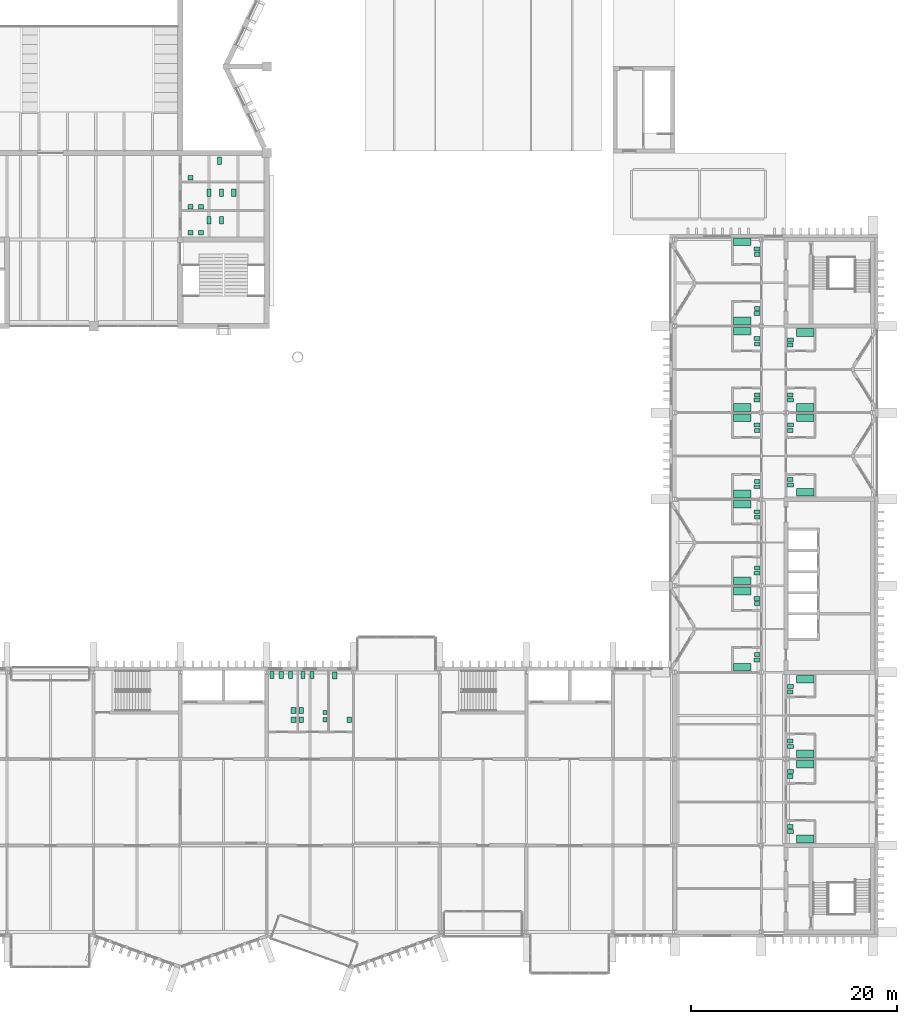
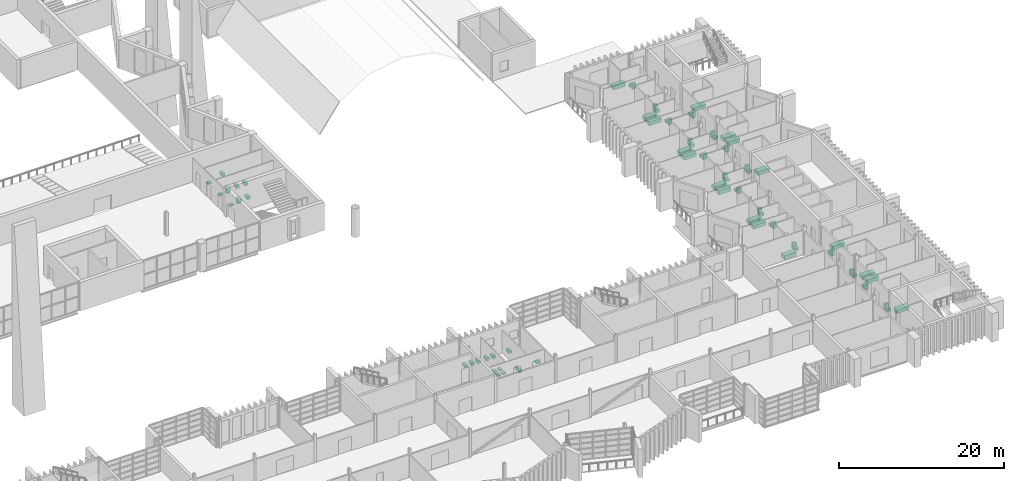
# One storey, part 100 of 100: 78 sanitary terminals.
"""IFC4 building model written with IfcOpenShell, lengths in metres."""

from ifc_helpers import new_model, si_unit, direction, frame, origin, origin_2d, place, context, subcontext, project, spatial, rectangle, extrude, material, type_object, element, save


model = new_model("IFC4")

# Units and contexts
model_context = context("Model", 3, precision=1e-05, world=origin(), true_north=direction((0.0, 1.0)))
body_context = subcontext(model_context, "Body", "Model", "MODEL_VIEW")
ifc_project = project(units=[si_unit("LENGTHUNIT", "METRE"), si_unit("AREAUNIT", "SQUARE_METRE"), si_unit("VOLUMEUNIT", "CUBIC_METRE"), si_unit("PLANEANGLEUNIT", "RADIAN"), si_unit("MASSUNIT", "GRAM", prefix="KILO")], contexts=[model_context])

# Site, building, storey
site_placement = place(None, origin())
site = spatial("IfcSite", under=ifc_project, at=site_placement, CompositionType="ELEMENT")
building_placement = place(site_placement, origin())
building = spatial("IfcBuilding", under=site, at=building_placement, Name="Cresset Court Congress Hotel", CompositionType="ELEMENT")
storey_placement = place(building_placement, frame((0.0, 0.0, 10.199951171875)))
storey = spatial("IfcBuildingStorey", under=building, at=storey_placement, Name="L02", CompositionType="ELEMENT", Elevation=10.199951171875)

# Sanitary terminals
ifc_material_1 = material(Name="Acrylic")
sanitary_terminal_type_1 = type_object("IfcSanitaryTerminalType", Name="Bath 1700x750", PredefinedType="BATH", material=ifc_material_1)
for number, where, z_axis, x_axis, name in (
    (1, (163.75, 25.699951171875, 0.0), (0.0, 0.0, 1.0), (1.0, 0.0, 0.0), "Bath 1700x750 0207"),
    (2, (163.75, 33.10009765625, 0.0), (0.0, 0.0, 1.0), (1.0, 0.0, 0.0), "Bath 1700x750 0208"),
    (3, (163.75, 34.10009765625, 0.0), (0.0, 0.0, 1.0), (1.0, 0.0, 0.0), "Bath 1700x750 0209"),
    (4, (163.75, 41.5, 0.0), (0.0, 0.0, 1.0), (1.0, 0.0, 0.0), "Bath 1700x750 0210"),
    (5, (163.75, 42.5, 0.0), (0.0, 0.0, 1.0), (1.0, 0.0, 0.0), "Bath 1700x750 0211"),
    (6, (163.75, 49.89990234375, 0.0), (0.0, 0.0, 1.0), (1.0, 0.0, 0.0), "Bath 1700x750 0212"),
    (7, (163.75, 50.89990234375, 0.0), (0.0, 0.0, 1.0), (1.0, 0.0, 0.0), "Bath 1700x750 0213"),
    (8, (163.75, 58.300048828125, 0.0), (0.0, 0.0, 1.0), (1.0, 0.0, 0.0), "Bath 1700x750 0214"),
    (9, (163.75, 59.300048828125, 0.0), (0.0, 0.0, 1.0), (1.0, 0.0, 0.0), "Bath 1700x750 0215"),
    (10, (163.75, 66.9951171875, 0.0), (0.0, 0.0, 1.0), (1.0, 0.0, 0.0), "Bath 1700x750 0216"),
    (11, (169.85009765625, 9.02490234375, 0.0), (0.0, 0.0, 1.0), (1.0, 0.0, 0.0), "Bath 1700x750 0217"),
    (12, (169.85009765625, 16.300048828125, 0.0), (0.0, 0.0, 1.0), (1.0, 0.0, 0.0), "Bath 1700x750 0218"),
    (13, (169.85009765625, 17.300048828125, 0.0), (0.0, 0.0, 1.0), (1.0, 0.0, 0.0), "Bath 1700x750 0219"),
    (14, (169.85009765625, 24.52490234375, 0.0), (0.0, 0.0, 1.0), (1.0, 0.0, 0.0), "Bath 1700x750 0220"),
    (15, (169.85009765625, 42.675048828125, 0.0), (0.0, 0.0, 1.0), (1.0, 0.0, 0.0), "Bath 1700x750 0221"),
    (16, (169.85009765625, 49.89990234375, 0.0), (0.0, 0.0, 1.0), (1.0, 0.0, 0.0), "Bath 1700x750 0222"),
    (17, (169.85009765625, 50.89990234375, 0.0), (0.0, 0.0, 1.0), (1.0, 0.0, 0.0), "Bath 1700x750 0223"),
    (18, (169.85009765625, 58.175048828125, 0.0), (0.0, 0.0, 1.0), (1.0, 0.0, 0.0), "Bath 1700x750 0224"),
):
    element("IfcSanitaryTerminal", number, at=place(storey_placement, frame(where, z_axis=z_axis, x_axis=x_axis)), inside=storey, type_object=sanitary_terminal_type_1, Name=name, PredefinedType="BATH", context=body_context, shape_type="SweptSolid", body=[
        extrude(rectangle(XDim=1.699951171875, YDim=0.75, at=origin_2d()), origin(), (0.0, 0.0, 1.0), 0.550048828125),
    ])
ifc_material_2 = material(Name="Vitreous china")
sanitary_terminal_type_2 = type_object("IfcSanitaryTerminalType", Name="Toilet pan", PredefinedType="TOILETPAN", material=ifc_material_2)
for number, where, z_axis, x_axis, name in (
    (19, (118.10009765625, 24.949951171875, 0.2001953125), (0.0, 0.0, 1.0), (1.0, 0.0, 0.0), "Women's WC fitting 40"),
    (20, (119.0, 24.949951171875, 0.2001953125), (0.0, 0.0, 1.0), (1.0, 0.0, 0.0), "Women's WC fitting 41"),
    (21, (119.89990234375, 24.949951171875, 0.2001953125), (0.0, 0.0, 1.0), (1.0, 0.0, 0.0), "Women's WC fitting 42"),
    (22, (121.10009765625, 24.949951171875, 0.2001953125), (0.0, 0.0, 1.0), (1.0, 0.0, 0.0), "Men's WC fitting 45"),
    (23, (122.0, 24.949951171875, 0.2001953125), (0.0, 0.0, 1.0), (1.0, 0.0, 0.0), "Men's WC fitting 46"),
    (24, (124.199951171875, 24.89990234375, 0.2001953125), (0.0, 0.0, 1.0), (1.0, 0.0, 0.0), "Accessible WC fitting 51"),
    (25, (112.0, 69.074951171875, 0.0), (0.0, 0.0, 1.0), (1.0, 0.0, 0.0), "Toilet Men's 1"),
    (26, (113.199951171875, 69.074951171875, 0.0), (0.0, 0.0, 1.0), (1.0, 0.0, 0.0), "Toilet Men's 2"),
    (27, (112.0, 71.75, 0.0), (0.0, 0.0, 1.0), (1.0, 0.0, 0.0), "Toilet Women's 1"),
    (28, (113.199951171875, 71.75, 0.0), (0.0, 0.0, 1.0), (1.0, 0.0, 0.0), "Toilet Women's 2"),
    (29, (114.39990234375, 71.75, 0.0), (0.0, 0.0, 1.0), (1.0, 0.0, 0.0), "Toilet Women's 3"),
    (30, (113.0, 74.85009765625, 0.0), (0.0, 0.0, 1.0), (1.0, 0.0, 0.0), "Toilet Accessible 1"),
):
    element("IfcSanitaryTerminal", number, at=place(storey_placement, frame(where, z_axis=z_axis, x_axis=x_axis)), inside=storey, type_object=sanitary_terminal_type_2, Name=name, PredefinedType="TOILETPAN", context=body_context, shape_type="SweptSolid", body=[
        extrude(rectangle(XDim=0.39990234375, YDim=0.699951171875, at=origin_2d()), origin(), (0.0, 0.0, 1.0), 0.39990234375),
    ])
ifc_material_3 = material(Name="Vitreous china")
sanitary_terminal_type_3 = type_object("IfcSanitaryTerminalType", Name="Toilet pan 550x380", PredefinedType="TOILETPAN", material=ifc_material_3)
for number, where, z_axis, x_axis, name in (
    (31, (165.175048828125, 26.4150390625, 0.0), (0.0, 0.0, 1.0), (1.0, 0.0, 0.0), "Toilet pan 550x380 0207"),
    (32, (165.175048828125, 32.385009765625, 0.0), (0.0, 0.0, 1.0), (1.0, 0.0, 0.0), "Toilet pan 550x380 0208"),
    (33, (165.175048828125, 34.81494140625, 0.0), (0.0, 0.0, 1.0), (1.0, 0.0, 0.0), "Toilet pan 550x380 0209"),
    (34, (165.175048828125, 40.784912109375, 0.0), (0.0, 0.0, 1.0), (1.0, 0.0, 0.0), "Toilet pan 550x380 0210"),
    (35, (165.175048828125, 43.215087890625, 0.0), (0.0, 0.0, 1.0), (1.0, 0.0, 0.0), "Toilet pan 550x380 0211"),
    (36, (165.175048828125, 49.18505859375, 0.0), (0.0, 0.0, 1.0), (1.0, 0.0, 0.0), "Toilet pan 550x380 0212"),
    (37, (165.175048828125, 51.614990234375, 0.0), (0.0, 0.0, 1.0), (1.0, 0.0, 0.0), "Toilet pan 550x380 0213"),
    (38, (165.175048828125, 57.5849609375, 0.0), (0.0, 0.0, 1.0), (1.0, 0.0, 0.0), "Toilet pan 550x380 0214"),
    (39, (165.175048828125, 60.014892578125, 0.0), (0.0, 0.0, 1.0), (1.0, 0.0, 0.0), "Toilet pan 550x380 0215"),
    (40, (165.175048828125, 66.280029296875, 0.0), (0.0, 0.0, 1.0), (1.0, 0.0, 0.0), "Toilet pan 550x380 0216"),
    (41, (168.425048828125, 9.739990234375, 0.0), (0.0, 0.0, 1.0), (1.0, 0.0, 0.0), "Toilet pan 550x380 0217"),
    (42, (168.425048828125, 15.5849609375, 0.0), (0.0, 0.0, 1.0), (1.0, 0.0, 0.0), "Toilet pan 550x380 0218"),
    (43, (168.425048828125, 18.014892578125, 0.0), (0.0, 0.0, 1.0), (1.0, 0.0, 0.0), "Toilet pan 550x380 0219"),
    (44, (168.425048828125, 23.81005859375, 0.0), (0.0, 0.0, 1.0), (1.0, 0.0, 0.0), "Toilet pan 550x380 0220"),
    (45, (168.425048828125, 43.389892578125, 0.0), (0.0, 0.0, 1.0), (1.0, 0.0, 0.0), "Toilet pan 550x380 0221"),
    (46, (168.425048828125, 49.18505859375, 0.0), (0.0, 0.0, 1.0), (1.0, 0.0, 0.0), "Toilet pan 550x380 0222"),
    (47, (168.425048828125, 51.614990234375, 0.0), (0.0, 0.0, 1.0), (1.0, 0.0, 0.0), "Toilet pan 550x380 0223"),
    (48, (168.425048828125, 57.4599609375, 0.0), (0.0, 0.0, 1.0), (1.0, 0.0, 0.0), "Toilet pan 550x380 0224"),
):
    element("IfcSanitaryTerminal", number, at=place(storey_placement, frame(where, z_axis=z_axis, x_axis=x_axis)), inside=storey, type_object=sanitary_terminal_type_3, Name=name, PredefinedType="TOILETPAN", context=body_context, shape_type="SweptSolid", body=[
        extrude(rectangle(XDim=0.550048828125, YDim=0.3798828125, at=origin_2d()), origin(), (0.0, 0.0, 1.0), 0.39990234375),
    ])
ifc_material_4 = material(Name="Vitreous china")
sanitary_terminal_type_4 = type_object("IfcSanitaryTerminalType", Name="Urinal", PredefinedType="URINAL", material=ifc_material_4)
for number, where, z_axis, x_axis, name in (
    (49, (123.25, 20.60009765625, 0.2001953125), (0.0, 0.0, 1.0), (1.0, 0.0, 0.0), "Men's WC fitting 47"),
    (50, (123.25, 21.300048828125, 0.2001953125), (0.0, 0.0, 1.0), (1.0, 0.0, 0.0), "Men's WC fitting 48"),
):
    element("IfcSanitaryTerminal", number, at=place(storey_placement, frame(where, z_axis=z_axis, x_axis=x_axis)), inside=storey, type_object=sanitary_terminal_type_4, Name=name, PredefinedType="URINAL", context=body_context, shape_type="SweptSolid", body=[
        extrude(rectangle(XDim=0.39990234375, YDim=0.39990234375, at=origin_2d()), origin(), (0.0, 0.0, 1.0), 0.39990234375),
    ])
ifc_material_5 = material(Name="Vitreous china")
sanitary_terminal_type_5 = type_object("IfcSanitaryTerminalType", Name="Wash basin", PredefinedType="WASHHANDBASIN", material=ifc_material_5)
for number, where, z_axis, x_axis, name in (
    (51, (120.199951171875, 20.60009765625, 0.80029296875), (0.0, 0.0, 1.0), (1.0, 0.0, 0.0), "Women's WC fitting 43"),
    (52, (120.199951171875, 21.5, 0.80029296875), (0.0, 0.0, 1.0), (1.0, 0.0, 0.0), "Women's WC fitting 44"),
    (53, (120.949951171875, 20.60009765625, 0.80029296875), (0.0, 0.0, 1.0), (1.0, 0.0, 0.0), "Men's WC fitting 49"),
    (54, (120.949951171875, 21.5, 0.80029296875), (0.0, 0.0, 1.0), (1.0, 0.0, 0.0), "Men's WC fitting 50"),
    (55, (125.60009765625, 20.60009765625, 0.80029296875), (0.0, 0.0, 1.0), (1.0, 0.0, 0.0), "Accessible WC fitting 52"),
):
    element("IfcSanitaryTerminal", number, at=place(storey_placement, frame(where, z_axis=z_axis, x_axis=x_axis)), inside=storey, type_object=sanitary_terminal_type_5, Name=name, PredefinedType="WASHHANDBASIN", context=body_context, shape_type="SweptSolid", body=[
        extrude(rectangle(XDim=0.449951171875, YDim=0.550048828125, at=origin_2d()), origin(), (0.0, 0.0, 1.0), 0.199951171875),
    ])
for number, where, z_axis, x_axis, name in (
    (56, (110.199951171875, 67.85009765625, 0.75), (0.0, 0.0, 1.0), (1.0, 0.0, 0.0), "Basin Men's 1"),
    (57, (111.199951171875, 67.85009765625, 0.75), (0.0, 0.0, 1.0), (1.0, 0.0, 0.0), "Basin Men's 2"),
    (58, (110.199951171875, 70.39990234375, 0.75), (0.0, 0.0, 1.0), (1.0, 0.0, 0.0), "Basin Women's 1"),
    (59, (111.199951171875, 70.39990234375, 0.75), (0.0, 0.0, 1.0), (1.0, 0.0, 0.0), "Basin Women's 2"),
    (60, (110.199951171875, 73.199951171875, 0.75), (0.0, 0.0, 1.0), (1.0, 0.0, 0.0), "Basin Accessible 1"),
):
    element("IfcSanitaryTerminal", number, at=place(storey_placement, frame(where, z_axis=z_axis, x_axis=x_axis)), inside=storey, type_object=sanitary_terminal_type_5, Name=name, PredefinedType="WASHHANDBASIN", context=body_context, shape_type="SweptSolid", body=[
        extrude(rectangle(XDim=0.5, YDim=0.449951171875, at=origin_2d()), origin(), (0.0, 0.0, 1.0), 0.199951171875),
    ])
ifc_material_6 = material(Name="Vitreous china")
sanitary_terminal_type_6 = type_object("IfcSanitaryTerminalType", Name="Wash basin 500x400", PredefinedType="WASHHANDBASIN", material=ifc_material_6)
for number, where, z_axis, x_axis, name in (
    (61, (165.199951171875, 26.925048828125, 0.0), (0.0, 0.0, 1.0), (1.0, 0.0, 0.0), "Wash basin 500x400 0207"),
    (62, (165.199951171875, 31.875, 0.0), (0.0, 0.0, 1.0), (1.0, 0.0, 0.0), "Wash basin 500x400 0208"),
    (63, (165.199951171875, 35.324951171875, 0.0), (0.0, 0.0, 1.0), (1.0, 0.0, 0.0), "Wash basin 500x400 0209"),
    (64, (165.199951171875, 40.27490234375, 0.0), (0.0, 0.0, 1.0), (1.0, 0.0, 0.0), "Wash basin 500x400 0210"),
    (65, (165.199951171875, 43.72509765625, 0.0), (0.0, 0.0, 1.0), (1.0, 0.0, 0.0), "Wash basin 500x400 0211"),
    (66, (165.199951171875, 48.675048828125, 0.0), (0.0, 0.0, 1.0), (1.0, 0.0, 0.0), "Wash basin 500x400 0212"),
    (67, (165.199951171875, 52.125, 0.0), (0.0, 0.0, 1.0), (1.0, 0.0, 0.0), "Wash basin 500x400 0213"),
    (68, (165.199951171875, 57.074951171875, 0.0), (0.0, 0.0, 1.0), (1.0, 0.0, 0.0), "Wash basin 500x400 0214"),
    (69, (165.199951171875, 60.52490234375, 0.0), (0.0, 0.0, 1.0), (1.0, 0.0, 0.0), "Wash basin 500x400 0215"),
    (70, (165.199951171875, 65.77001953125, 0.0), (0.0, 0.0, 1.0), (1.0, 0.0, 0.0), "Wash basin 500x400 0216"),
    (71, (168.39990234375, 10.25, 0.0), (0.0, 0.0, 1.0), (1.0, 0.0, 0.0), "Wash basin 500x400 0217"),
    (72, (168.39990234375, 15.074951171875, 0.0), (0.0, 0.0, 1.0), (1.0, 0.0, 0.0), "Wash basin 500x400 0218"),
    (73, (168.39990234375, 18.52490234375, 0.0), (0.0, 0.0, 1.0), (1.0, 0.0, 0.0), "Wash basin 500x400 0219"),
    (74, (168.39990234375, 23.300048828125, 0.0), (0.0, 0.0, 1.0), (1.0, 0.0, 0.0), "Wash basin 500x400 0220"),
    (75, (168.39990234375, 43.89990234375, 0.0), (0.0, 0.0, 1.0), (1.0, 0.0, 0.0), "Wash basin 500x400 0221"),
    (76, (168.39990234375, 48.675048828125, 0.0), (0.0, 0.0, 1.0), (1.0, 0.0, 0.0), "Wash basin 500x400 0222"),
    (77, (168.39990234375, 52.125, 0.0), (0.0, 0.0, 1.0), (1.0, 0.0, 0.0), "Wash basin 500x400 0223"),
    (78, (168.39990234375, 56.949951171875, 0.0), (0.0, 0.0, 1.0), (1.0, 0.0, 0.0), "Wash basin 500x400 0224"),
):
    element("IfcSanitaryTerminal", number, at=place(storey_placement, frame(where, z_axis=z_axis, x_axis=x_axis)), inside=storey, type_object=sanitary_terminal_type_6, Name=name, PredefinedType="WASHHANDBASIN", context=body_context, shape_type="SweptSolid", body=[
        extrude(rectangle(XDim=0.5, YDim=0.39990234375, at=origin_2d()), origin(), (0.0, 0.0, 1.0), 0.85009765625),
    ])

save(model, "model.ifc")
